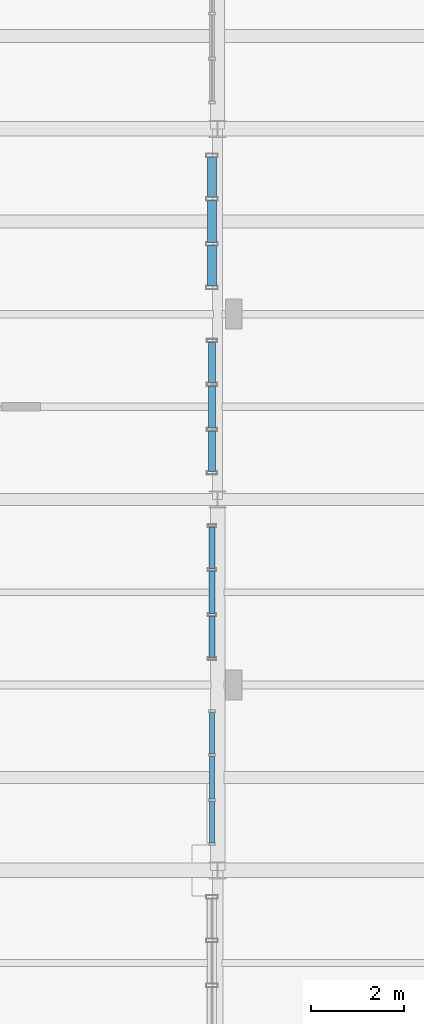
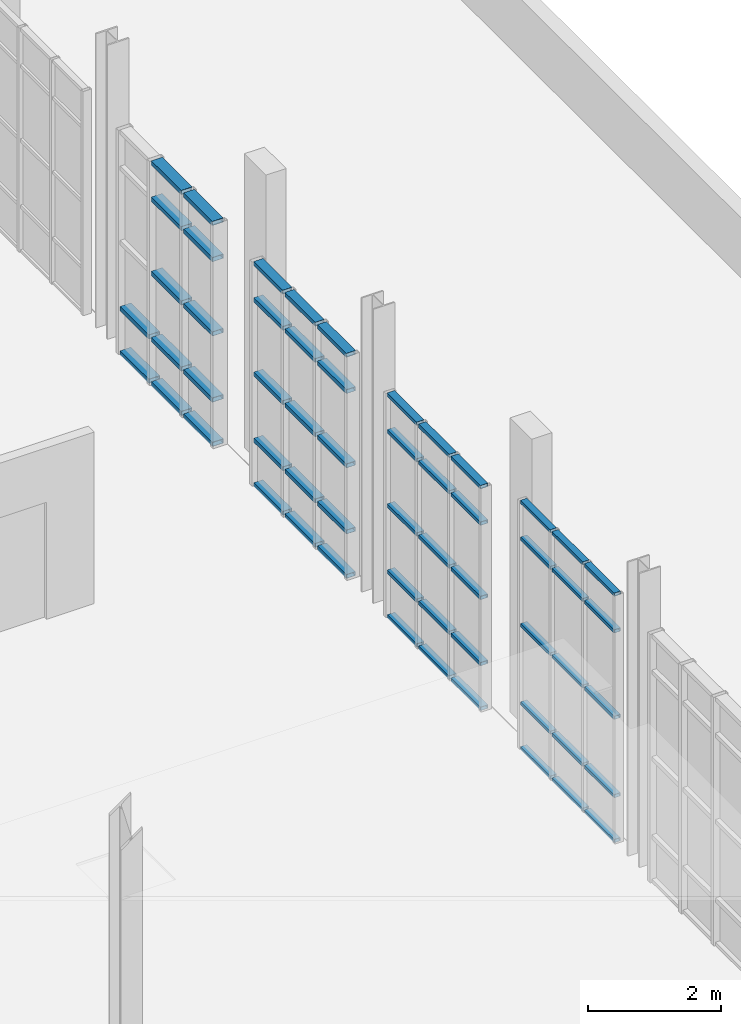
# One storey, part 100 of 142: 57 members, 4 elements without a shape of their own.
"""IFC4 building model written with IfcOpenShell, lengths in metres."""

from ifc_helpers import new_model, si_unit, direction, frame, origin, origin_2d, place, context, subcontext, project, spatial, hollow_rectangle, extrude, material, layer, layer_set, material_profile, profile_set, type_object, element, aggregate, save


model = new_model("IFC4")

# Units and contexts
model_context = context("Model", 3, precision=1e-05, world=origin(), true_north=direction((0.0, 1.0)))
body_context = subcontext(model_context, "Body", "Model", "MODEL_VIEW")
ifc_project = project(units=[si_unit("LENGTHUNIT", "METRE"), si_unit("AREAUNIT", "SQUARE_METRE"), si_unit("VOLUMEUNIT", "CUBIC_METRE"), si_unit("PLANEANGLEUNIT", "RADIAN"), si_unit("MASSUNIT", "GRAM", prefix="KILO"), si_unit("THERMODYNAMICTEMPERATUREUNIT", "KELVIN"), si_unit("POWERUNIT", "WATT")], contexts=[model_context])

# Site, building, storey
site_placement = place(None, origin())
site = spatial("IfcSite", under=ifc_project, at=site_placement, CompositionType="ELEMENT")
building_placement = place(site_placement, origin())
building = spatial("IfcBuilding", under=site, at=building_placement, Name="Zelmaris Science Centre", CompositionType="ELEMENT")
storey_placement = place(building_placement, frame((0.0, 0.0, 5.39990234375)))
storey = spatial("IfcBuildingStorey", under=building, at=storey_placement, Name="L01", CompositionType="ELEMENT", Elevation=5.39990234375)

# Curtain wall, members
ifc_material = material(Name="Anodised architectural aluminium 6063-T6", Category="aluminium")
ifc_layer_1 = layer(ifc_material, 0.219970703125, Name="Anodised architectural aluminium 6063-T6")
ifc_layer_set_1 = layer_set([ifc_layer_1], Name="Anodised architectural aluminium 6063-T6")
curtain_wall_type_1 = type_object("IfcCurtainWallType", Name="Curtain Wall CW-04", PredefinedType="USERDEFINED", material=ifc_layer_set_1)
curtain_wall_1_placement = place(storey_placement, origin())
curtain_wall_1 = element("IfcCurtainWall", 1, at=curtain_wall_1_placement, inside=storey, type_object=curtain_wall_type_1, Name="L01 Unitised curtain wall 156", ObjectType="GLAZED CURTAIN WALL", PredefinedType="USERDEFINED")
ifc_material_profile_1 = material_profile(ifc_material, hollow_rectangle(XDim=0.06005859375, YDim=0.110107421875, WallThickness=0.0029296875, at=origin_2d()), Name="ALU-TRN-60X110")
ifc_profile_set_1 = profile_set([ifc_material_profile_1], Name="Anodised architectural aluminium 6063-T6")
member_type_1 = type_object("IfcMemberType", Name="ALU-TRN-60X110", PredefinedType="USERDEFINED", material=ifc_profile_set_1)
member_1_placement = place(storey_placement, frame((143.8798828125, 27.407958984375, 0.010986328125), z_axis=(0.0, -1.0, 0.0), x_axis=(0.0, 0.0, 1.0)))
member_1 = element("IfcMember", 2, at=member_1_placement, type_object=member_type_1, Name="CW-04 transom 1.1", ObjectType="TRANSOM", PredefinedType="USERDEFINED", context=body_context, shape_type="SweptSolid", body=[
    extrude(hollow_rectangle(XDim=0.06005859375, YDim=0.110107421875, WallThickness=0.0029296875, at=origin_2d()), origin(), (0.0, 0.0, 1.0), 0.895263671875),
])
member_2_placement = place(storey_placement, frame((143.8798828125, 27.407958984375, 0.835205078125), z_axis=(0.0, -1.0, 0.0), x_axis=(0.0, 0.0, 1.0)))
member_2 = element("IfcMember", 3, at=member_2_placement, type_object=member_type_1, Name="CW-04 transom 1.2", ObjectType="TRANSOM", PredefinedType="USERDEFINED", context=body_context, shape_type="SweptSolid", body=[
    extrude(hollow_rectangle(XDim=0.06005859375, YDim=0.110107421875, WallThickness=0.0029296875, at=origin_2d()), origin(), (0.0, 0.0, 1.0), 0.895263671875),
])
member_3_placement = place(storey_placement, frame((143.8798828125, 27.407958984375, 2.273193359375), z_axis=(0.0, -1.0, 0.0), x_axis=(0.0, 0.0, 1.0)))
member_3 = element("IfcMember", 4, at=member_3_placement, type_object=member_type_1, Name="CW-04 transom 1.3", ObjectType="TRANSOM", PredefinedType="USERDEFINED", context=body_context, shape_type="SweptSolid", body=[
    extrude(hollow_rectangle(XDim=0.06005859375, YDim=0.110107421875, WallThickness=0.0029296875, at=origin_2d()), origin(), (0.0, 0.0, 1.0), 0.895263671875),
])
member_4_placement = place(storey_placement, frame((143.8798828125, 27.407958984375, 3.861083984375), z_axis=(0.0, -1.0, 0.0), x_axis=(0.0, 0.0, 1.0)))
member_4 = element("IfcMember", 5, at=member_4_placement, type_object=member_type_1, Name="CW-04 transom 1.4", ObjectType="TRANSOM", PredefinedType="USERDEFINED", context=body_context, shape_type="SweptSolid", body=[
    extrude(hollow_rectangle(XDim=0.06005859375, YDim=0.110107421875, WallThickness=0.0029296875, at=origin_2d()), origin(), (0.0, 0.0, 1.0), 0.895263671875),
])
member_5_placement = place(storey_placement, frame((143.8798828125, 27.407958984375, 4.53515625), z_axis=(0.0, -1.0, 0.0), x_axis=(0.0, 0.0, 1.0)))
member_5 = element("IfcMember", 6, at=member_5_placement, type_object=member_type_1, Name="CW-04 transom 1.5", ObjectType="TRANSOM", PredefinedType="USERDEFINED", context=body_context, shape_type="SweptSolid", body=[
    extrude(hollow_rectangle(XDim=0.06005859375, YDim=0.110107421875, WallThickness=0.0029296875, at=origin_2d()), origin(), (0.0, 0.0, 1.0), 0.895263671875),
])
member_6_placement = place(storey_placement, frame((143.8798828125, 26.460693359375, 0.010986328125), z_axis=(0.0, -1.0, 0.0), x_axis=(0.0, 0.0, 1.0)))
member_6 = element("IfcMember", 7, at=member_6_placement, type_object=member_type_1, Name="CW-04 transom 2.1", ObjectType="TRANSOM", PredefinedType="USERDEFINED", context=body_context, shape_type="SweptSolid", body=[
    extrude(hollow_rectangle(XDim=0.06005859375, YDim=0.110107421875, WallThickness=0.0029296875, at=origin_2d()), origin(), (0.0, 0.0, 1.0), 0.92138671875),
])
member_7_placement = place(storey_placement, frame((143.8798828125, 26.460693359375, 0.835205078125), z_axis=(0.0, -1.0, 0.0), x_axis=(0.0, 0.0, 1.0)))
member_7 = element("IfcMember", 8, at=member_7_placement, type_object=member_type_1, Name="CW-04 transom 2.2", ObjectType="TRANSOM", PredefinedType="USERDEFINED", context=body_context, shape_type="SweptSolid", body=[
    extrude(hollow_rectangle(XDim=0.06005859375, YDim=0.110107421875, WallThickness=0.0029296875, at=origin_2d()), origin(), (0.0, 0.0, 1.0), 0.92138671875),
])
member_8_placement = place(storey_placement, frame((143.8798828125, 26.460693359375, 2.273193359375), z_axis=(0.0, -1.0, 0.0), x_axis=(0.0, 0.0, 1.0)))
member_8 = element("IfcMember", 9, at=member_8_placement, type_object=member_type_1, Name="CW-04 transom 2.3", ObjectType="TRANSOM", PredefinedType="USERDEFINED", context=body_context, shape_type="SweptSolid", body=[
    extrude(hollow_rectangle(XDim=0.06005859375, YDim=0.110107421875, WallThickness=0.0029296875, at=origin_2d()), origin(), (0.0, 0.0, 1.0), 0.92138671875),
])
member_9_placement = place(storey_placement, frame((143.8798828125, 26.460693359375, 3.861083984375), z_axis=(0.0, -1.0, 0.0), x_axis=(0.0, 0.0, 1.0)))
member_9 = element("IfcMember", 10, at=member_9_placement, type_object=member_type_1, Name="CW-04 transom 2.4", ObjectType="TRANSOM", PredefinedType="USERDEFINED", context=body_context, shape_type="SweptSolid", body=[
    extrude(hollow_rectangle(XDim=0.06005859375, YDim=0.110107421875, WallThickness=0.0029296875, at=origin_2d()), origin(), (0.0, 0.0, 1.0), 0.92138671875),
])
member_10_placement = place(storey_placement, frame((143.8798828125, 26.460693359375, 4.53515625), z_axis=(0.0, -1.0, 0.0), x_axis=(0.0, 0.0, 1.0)))
member_10 = element("IfcMember", 11, at=member_10_placement, type_object=member_type_1, Name="CW-04 transom 2.5", ObjectType="TRANSOM", PredefinedType="USERDEFINED", context=body_context, shape_type="SweptSolid", body=[
    extrude(hollow_rectangle(XDim=0.06005859375, YDim=0.110107421875, WallThickness=0.0029296875, at=origin_2d()), origin(), (0.0, 0.0, 1.0), 0.92138671875),
])
member_11_placement = place(storey_placement, frame((143.8798828125, 25.4873046875, 0.010986328125), z_axis=(0.0, -1.0, 0.0), x_axis=(0.0, 0.0, 1.0)))
member_11 = element("IfcMember", 12, at=member_11_placement, type_object=member_type_1, Name="CW-04 transom 3.1", ObjectType="TRANSOM", PredefinedType="USERDEFINED", context=body_context, shape_type="SweptSolid", body=[
    extrude(hollow_rectangle(XDim=0.06005859375, YDim=0.110107421875, WallThickness=0.0029296875, at=origin_2d()), origin(), (0.0, 0.0, 1.0), 0.895263671875),
])
member_12_placement = place(storey_placement, frame((143.8798828125, 25.4873046875, 0.835205078125), z_axis=(0.0, -1.0, 0.0), x_axis=(0.0, 0.0, 1.0)))
member_12 = element("IfcMember", 13, at=member_12_placement, type_object=member_type_1, Name="CW-04 transom 3.2", ObjectType="TRANSOM", PredefinedType="USERDEFINED", context=body_context, shape_type="SweptSolid", body=[
    extrude(hollow_rectangle(XDim=0.06005859375, YDim=0.110107421875, WallThickness=0.0029296875, at=origin_2d()), origin(), (0.0, 0.0, 1.0), 0.895263671875),
])
member_13_placement = place(storey_placement, frame((143.8798828125, 25.4873046875, 2.273193359375), z_axis=(0.0, -1.0, 0.0), x_axis=(0.0, 0.0, 1.0)))
member_13 = element("IfcMember", 14, at=member_13_placement, type_object=member_type_1, Name="CW-04 transom 3.3", ObjectType="TRANSOM", PredefinedType="USERDEFINED", context=body_context, shape_type="SweptSolid", body=[
    extrude(hollow_rectangle(XDim=0.06005859375, YDim=0.110107421875, WallThickness=0.0029296875, at=origin_2d()), origin(), (0.0, 0.0, 1.0), 0.895263671875),
])
member_14_placement = place(storey_placement, frame((143.8798828125, 25.4873046875, 3.861083984375), z_axis=(0.0, -1.0, 0.0), x_axis=(0.0, 0.0, 1.0)))
member_14 = element("IfcMember", 15, at=member_14_placement, type_object=member_type_1, Name="CW-04 transom 3.4", ObjectType="TRANSOM", PredefinedType="USERDEFINED", context=body_context, shape_type="SweptSolid", body=[
    extrude(hollow_rectangle(XDim=0.06005859375, YDim=0.110107421875, WallThickness=0.0029296875, at=origin_2d()), origin(), (0.0, 0.0, 1.0), 0.895263671875),
])
member_15_placement = place(storey_placement, frame((143.8798828125, 25.4873046875, 4.53515625), z_axis=(0.0, -1.0, 0.0), x_axis=(0.0, 0.0, 1.0)))
member_15 = element("IfcMember", 16, at=member_15_placement, type_object=member_type_1, Name="CW-04 transom 3.5", ObjectType="TRANSOM", PredefinedType="USERDEFINED", context=body_context, shape_type="SweptSolid", body=[
    extrude(hollow_rectangle(XDim=0.06005859375, YDim=0.110107421875, WallThickness=0.0029296875, at=origin_2d()), origin(), (0.0, 0.0, 1.0), 0.895263671875),
])
aggregate(curtain_wall_1, [member_1, member_2, member_3, member_4, member_5, member_6, member_7, member_8, member_9, member_10, member_11, member_12, member_13, member_14, member_15])

ifc_layer_2 = layer(ifc_material, 0.2099609375, Name="Anodised architectural aluminium 6063-T6")
ifc_layer_set_2 = layer_set([ifc_layer_2], Name="Anodised architectural aluminium 6063-T6")
curtain_wall_type_2 = type_object("IfcCurtainWallType", Name="Curtain Wall CW-03", PredefinedType="USERDEFINED", material=ifc_layer_set_2)
curtain_wall_2_placement = place(storey_placement, origin())
curtain_wall_2 = element("IfcCurtainWall", 17, at=curtain_wall_2_placement, inside=storey, type_object=curtain_wall_type_2, Name="L01 Unitised curtain wall 155", ObjectType="GLAZED CURTAIN WALL", PredefinedType="USERDEFINED")
ifc_material_profile_2 = material_profile(ifc_material, hollow_rectangle(XDim=0.06494140625, YDim=0.1298828125, WallThickness=0.00341796875, at=origin_2d()), Name="ALU-TRN-65X130")
ifc_profile_set_2 = profile_set([ifc_material_profile_2], Name="Anodised architectural aluminium 6063-T6")
member_type_2 = type_object("IfcMemberType", Name="ALU-TRN-65X130", PredefinedType="USERDEFINED", material=ifc_profile_set_2)
member_16_placement = place(storey_placement, frame((143.8798828125, 31.403076171875, 0.013671875), z_axis=(0.0, -1.0, 0.0), x_axis=(0.0, 0.0, 1.0)))
member_16 = element("IfcMember", 18, at=member_16_placement, type_object=member_type_2, Name="CW-03 transom 1.1", ObjectType="TRANSOM", PredefinedType="USERDEFINED", context=body_context, shape_type="SweptSolid", body=[
    extrude(hollow_rectangle(XDim=0.06494140625, YDim=0.1298828125, WallThickness=0.00341796875, at=origin_2d()), origin(), (0.0, 0.0, 1.0), 0.887939453125),
])
member_17_placement = place(storey_placement, frame((143.8798828125, 31.403076171875, 0.835205078125), z_axis=(0.0, -1.0, 0.0), x_axis=(0.0, 0.0, 1.0)))
member_17 = element("IfcMember", 19, at=member_17_placement, type_object=member_type_2, Name="CW-03 transom 1.2", ObjectType="TRANSOM", PredefinedType="USERDEFINED", context=body_context, shape_type="SweptSolid", body=[
    extrude(hollow_rectangle(XDim=0.06494140625, YDim=0.1298828125, WallThickness=0.00341796875, at=origin_2d()), origin(), (0.0, 0.0, 1.0), 0.887939453125),
])
member_18_placement = place(storey_placement, frame((143.8798828125, 31.403076171875, 2.049560546875), z_axis=(0.0, -1.0, 0.0), x_axis=(0.0, 0.0, 1.0)))
member_18 = element("IfcMember", 20, at=member_18_placement, type_object=member_type_2, Name="CW-03 transom 1.3", ObjectType="TRANSOM", PredefinedType="USERDEFINED", context=body_context, shape_type="SweptSolid", body=[
    extrude(hollow_rectangle(XDim=0.06494140625, YDim=0.1298828125, WallThickness=0.00341796875, at=origin_2d()), origin(), (0.0, 0.0, 1.0), 0.887939453125),
])
member_19_placement = place(storey_placement, frame((143.8798828125, 31.403076171875, 3.4140625), z_axis=(0.0, -1.0, 0.0), x_axis=(0.0, 0.0, 1.0)))
member_19 = element("IfcMember", 21, at=member_19_placement, type_object=member_type_2, Name="CW-03 transom 1.4", ObjectType="TRANSOM", PredefinedType="USERDEFINED", context=body_context, shape_type="SweptSolid", body=[
    extrude(hollow_rectangle(XDim=0.06494140625, YDim=0.1298828125, WallThickness=0.00341796875, at=origin_2d()), origin(), (0.0, 0.0, 1.0), 0.887939453125),
])
member_20_placement = place(storey_placement, frame((143.8798828125, 31.403076171875, 4.085693359375), z_axis=(0.0, -1.0, 0.0), x_axis=(0.0, 0.0, 1.0)))
member_20 = element("IfcMember", 22, at=member_20_placement, type_object=member_type_2, Name="CW-03 transom 1.5", ObjectType="TRANSOM", PredefinedType="USERDEFINED", context=body_context, shape_type="SweptSolid", body=[
    extrude(hollow_rectangle(XDim=0.06494140625, YDim=0.1298828125, WallThickness=0.00341796875, at=origin_2d()), origin(), (0.0, 0.0, 1.0), 0.887939453125),
])
member_21_placement = place(storey_placement, frame((143.8798828125, 30.458251953125, 0.013671875), z_axis=(0.0, -1.0, 0.0), x_axis=(0.0, 0.0, 1.0)))
member_21 = element("IfcMember", 23, at=member_21_placement, type_object=member_type_2, Name="CW-03 transom 2.1", ObjectType="TRANSOM", PredefinedType="USERDEFINED", context=body_context, shape_type="SweptSolid", body=[
    extrude(hollow_rectangle(XDim=0.06494140625, YDim=0.1298828125, WallThickness=0.00341796875, at=origin_2d()), origin(), (0.0, 0.0, 1.0), 0.91650390625),
])
member_22_placement = place(storey_placement, frame((143.8798828125, 30.458251953125, 0.835205078125), z_axis=(0.0, -1.0, 0.0), x_axis=(0.0, 0.0, 1.0)))
member_22 = element("IfcMember", 24, at=member_22_placement, type_object=member_type_2, Name="CW-03 transom 2.2", ObjectType="TRANSOM", PredefinedType="USERDEFINED", context=body_context, shape_type="SweptSolid", body=[
    extrude(hollow_rectangle(XDim=0.06494140625, YDim=0.1298828125, WallThickness=0.00341796875, at=origin_2d()), origin(), (0.0, 0.0, 1.0), 0.91650390625),
])
member_23_placement = place(storey_placement, frame((143.8798828125, 30.458251953125, 2.049560546875), z_axis=(0.0, -1.0, 0.0), x_axis=(0.0, 0.0, 1.0)))
member_23 = element("IfcMember", 25, at=member_23_placement, type_object=member_type_2, Name="CW-03 transom 2.3", ObjectType="TRANSOM", PredefinedType="USERDEFINED", context=body_context, shape_type="SweptSolid", body=[
    extrude(hollow_rectangle(XDim=0.06494140625, YDim=0.1298828125, WallThickness=0.00341796875, at=origin_2d()), origin(), (0.0, 0.0, 1.0), 0.91650390625),
])
member_24_placement = place(storey_placement, frame((143.8798828125, 30.458251953125, 3.4140625), z_axis=(0.0, -1.0, 0.0), x_axis=(0.0, 0.0, 1.0)))
member_24 = element("IfcMember", 26, at=member_24_placement, type_object=member_type_2, Name="CW-03 transom 2.4", ObjectType="TRANSOM", PredefinedType="USERDEFINED", context=body_context, shape_type="SweptSolid", body=[
    extrude(hollow_rectangle(XDim=0.06494140625, YDim=0.1298828125, WallThickness=0.00341796875, at=origin_2d()), origin(), (0.0, 0.0, 1.0), 0.91650390625),
])
member_25_placement = place(storey_placement, frame((143.8798828125, 30.458251953125, 4.085693359375), z_axis=(0.0, -1.0, 0.0), x_axis=(0.0, 0.0, 1.0)))
member_25 = element("IfcMember", 27, at=member_25_placement, type_object=member_type_2, Name="CW-03 transom 2.5", ObjectType="TRANSOM", PredefinedType="USERDEFINED", context=body_context, shape_type="SweptSolid", body=[
    extrude(hollow_rectangle(XDim=0.06494140625, YDim=0.1298828125, WallThickness=0.00341796875, at=origin_2d()), origin(), (0.0, 0.0, 1.0), 0.91650390625),
])
member_26_placement = place(storey_placement, frame((143.8798828125, 29.48486328125, 0.013671875), z_axis=(0.0, -1.0, 0.0), x_axis=(0.0, 0.0, 1.0)))
member_26 = element("IfcMember", 28, at=member_26_placement, type_object=member_type_2, Name="CW-03 transom 3.1", ObjectType="TRANSOM", PredefinedType="USERDEFINED", context=body_context, shape_type="SweptSolid", body=[
    extrude(hollow_rectangle(XDim=0.06494140625, YDim=0.1298828125, WallThickness=0.00341796875, at=origin_2d()), origin(), (0.0, 0.0, 1.0), 0.887939453125),
])
member_27_placement = place(storey_placement, frame((143.8798828125, 29.48486328125, 0.835205078125), z_axis=(0.0, -1.0, 0.0), x_axis=(0.0, 0.0, 1.0)))
member_27 = element("IfcMember", 29, at=member_27_placement, type_object=member_type_2, Name="CW-03 transom 3.2", ObjectType="TRANSOM", PredefinedType="USERDEFINED", context=body_context, shape_type="SweptSolid", body=[
    extrude(hollow_rectangle(XDim=0.06494140625, YDim=0.1298828125, WallThickness=0.00341796875, at=origin_2d()), origin(), (0.0, 0.0, 1.0), 0.887939453125),
])
member_28_placement = place(storey_placement, frame((143.8798828125, 29.48486328125, 2.049560546875), z_axis=(0.0, -1.0, 0.0), x_axis=(0.0, 0.0, 1.0)))
member_28 = element("IfcMember", 30, at=member_28_placement, type_object=member_type_2, Name="CW-03 transom 3.3", ObjectType="TRANSOM", PredefinedType="USERDEFINED", context=body_context, shape_type="SweptSolid", body=[
    extrude(hollow_rectangle(XDim=0.06494140625, YDim=0.1298828125, WallThickness=0.00341796875, at=origin_2d()), origin(), (0.0, 0.0, 1.0), 0.887939453125),
])
member_29_placement = place(storey_placement, frame((143.8798828125, 29.48486328125, 3.4140625), z_axis=(0.0, -1.0, 0.0), x_axis=(0.0, 0.0, 1.0)))
member_29 = element("IfcMember", 31, at=member_29_placement, type_object=member_type_2, Name="CW-03 transom 3.4", ObjectType="TRANSOM", PredefinedType="USERDEFINED", context=body_context, shape_type="SweptSolid", body=[
    extrude(hollow_rectangle(XDim=0.06494140625, YDim=0.1298828125, WallThickness=0.00341796875, at=origin_2d()), origin(), (0.0, 0.0, 1.0), 0.887939453125),
])
member_30_placement = place(storey_placement, frame((143.8798828125, 29.48486328125, 4.085693359375), z_axis=(0.0, -1.0, 0.0), x_axis=(0.0, 0.0, 1.0)))
member_30 = element("IfcMember", 32, at=member_30_placement, type_object=member_type_2, Name="CW-03 transom 3.5", ObjectType="TRANSOM", PredefinedType="USERDEFINED", context=body_context, shape_type="SweptSolid", body=[
    extrude(hollow_rectangle(XDim=0.06494140625, YDim=0.1298828125, WallThickness=0.00341796875, at=origin_2d()), origin(), (0.0, 0.0, 1.0), 0.887939453125),
])
aggregate(curtain_wall_2, [member_16, member_17, member_18, member_19, member_20, member_21, member_22, member_23, member_24, member_25, member_26, member_27, member_28, member_29, member_30])

ifc_layer_3 = layer(ifc_material, 0.199951171875, Name="Anodised architectural aluminium 6063-T6")
ifc_layer_set_3 = layer_set([ifc_layer_3], Name="Anodised architectural aluminium 6063-T6")
curtain_wall_type_3 = type_object("IfcCurtainWallType", Name="Curtain Wall CW-02", PredefinedType="USERDEFINED", material=ifc_layer_set_3)
curtain_wall_3_placement = place(storey_placement, origin())
curtain_wall_3 = element("IfcCurtainWall", 33, at=curtain_wall_3_placement, inside=storey, type_object=curtain_wall_type_3, Name="L01 Unitised curtain wall 154", ObjectType="GLAZED CURTAIN WALL", PredefinedType="USERDEFINED")
ifc_material_profile_3 = material_profile(ifc_material, hollow_rectangle(XDim=0.074951171875, YDim=0.159912109375, WallThickness=0.00390625, at=origin_2d()), Name="ALU-TRN-75X160")
ifc_profile_set_3 = profile_set([ifc_material_profile_3], Name="Anodised architectural aluminium 6063-T6")
member_type_3 = type_object("IfcMemberType", Name="ALU-TRN-75X160", PredefinedType="USERDEFINED", material=ifc_profile_set_3)
member_31_placement = place(storey_placement, frame((143.8798828125, 35.39306640625, 0.0185546875), z_axis=(0.0, -1.0, 0.0), x_axis=(0.0, 0.0, 1.0)))
member_31 = element("IfcMember", 34, at=member_31_placement, type_object=member_type_3, Name="CW-02 transom 1.1", ObjectType="TRANSOM", PredefinedType="USERDEFINED", context=body_context, shape_type="SweptSolid", body=[
    extrude(hollow_rectangle(XDim=0.074951171875, YDim=0.159912109375, WallThickness=0.00390625, at=origin_2d()), origin(), (0.0, 0.0, 1.0), 0.872802734375),
])
member_32_placement = place(storey_placement, frame((143.8798828125, 35.39306640625, 0.835205078125), z_axis=(0.0, -1.0, 0.0), x_axis=(0.0, 0.0, 1.0)))
member_32 = element("IfcMember", 35, at=member_32_placement, type_object=member_type_3, Name="CW-02 transom 1.2", ObjectType="TRANSOM", PredefinedType="USERDEFINED", context=body_context, shape_type="SweptSolid", body=[
    extrude(hollow_rectangle(XDim=0.074951171875, YDim=0.159912109375, WallThickness=0.00390625, at=origin_2d()), origin(), (0.0, 0.0, 1.0), 0.872802734375),
])
member_33_placement = place(storey_placement, frame((143.8798828125, 35.39306640625, 2.049560546875), z_axis=(0.0, -1.0, 0.0), x_axis=(0.0, 0.0, 1.0)))
member_33 = element("IfcMember", 36, at=member_33_placement, type_object=member_type_3, Name="CW-02 transom 1.3", ObjectType="TRANSOM", PredefinedType="USERDEFINED", context=body_context, shape_type="SweptSolid", body=[
    extrude(hollow_rectangle(XDim=0.074951171875, YDim=0.159912109375, WallThickness=0.00390625, at=origin_2d()), origin(), (0.0, 0.0, 1.0), 0.872802734375),
])
member_34_placement = place(storey_placement, frame((143.8798828125, 35.39306640625, 3.4140625), z_axis=(0.0, -1.0, 0.0), x_axis=(0.0, 0.0, 1.0)))
member_34 = element("IfcMember", 37, at=member_34_placement, type_object=member_type_3, Name="CW-02 transom 1.4", ObjectType="TRANSOM", PredefinedType="USERDEFINED", context=body_context, shape_type="SweptSolid", body=[
    extrude(hollow_rectangle(XDim=0.074951171875, YDim=0.159912109375, WallThickness=0.00390625, at=origin_2d()), origin(), (0.0, 0.0, 1.0), 0.872802734375),
])
member_35_placement = place(storey_placement, frame((143.8798828125, 35.39306640625, 4.08056640625), z_axis=(0.0, -1.0, 0.0), x_axis=(0.0, 0.0, 1.0)))
member_35 = element("IfcMember", 38, at=member_35_placement, type_object=member_type_3, Name="CW-02 transom 1.5", ObjectType="TRANSOM", PredefinedType="USERDEFINED", context=body_context, shape_type="SweptSolid", body=[
    extrude(hollow_rectangle(XDim=0.074951171875, YDim=0.159912109375, WallThickness=0.00390625, at=origin_2d()), origin(), (0.0, 0.0, 1.0), 0.872802734375),
])
member_36_placement = place(storey_placement, frame((143.8798828125, 34.453125, 0.0185546875), z_axis=(0.0, -1.0, 0.0), x_axis=(0.0, 0.0, 1.0)))
member_36 = element("IfcMember", 39, at=member_36_placement, type_object=member_type_3, Name="CW-02 transom 2.1", ObjectType="TRANSOM", PredefinedType="USERDEFINED", context=body_context, shape_type="SweptSolid", body=[
    extrude(hollow_rectangle(XDim=0.074951171875, YDim=0.159912109375, WallThickness=0.00390625, at=origin_2d()), origin(), (0.0, 0.0, 1.0), 0.90625),
])
member_37_placement = place(storey_placement, frame((143.8798828125, 34.453125, 0.835205078125), z_axis=(0.0, -1.0, 0.0), x_axis=(0.0, 0.0, 1.0)))
member_37 = element("IfcMember", 40, at=member_37_placement, type_object=member_type_3, Name="CW-02 transom 2.2", ObjectType="TRANSOM", PredefinedType="USERDEFINED", context=body_context, shape_type="SweptSolid", body=[
    extrude(hollow_rectangle(XDim=0.074951171875, YDim=0.159912109375, WallThickness=0.00390625, at=origin_2d()), origin(), (0.0, 0.0, 1.0), 0.90625),
])
member_38_placement = place(storey_placement, frame((143.8798828125, 34.453125, 2.049560546875), z_axis=(0.0, -1.0, 0.0), x_axis=(0.0, 0.0, 1.0)))
member_38 = element("IfcMember", 41, at=member_38_placement, type_object=member_type_3, Name="CW-02 transom 2.3", ObjectType="TRANSOM", PredefinedType="USERDEFINED", context=body_context, shape_type="SweptSolid", body=[
    extrude(hollow_rectangle(XDim=0.074951171875, YDim=0.159912109375, WallThickness=0.00390625, at=origin_2d()), origin(), (0.0, 0.0, 1.0), 0.90625),
])
member_39_placement = place(storey_placement, frame((143.8798828125, 34.453125, 3.4140625), z_axis=(0.0, -1.0, 0.0), x_axis=(0.0, 0.0, 1.0)))
member_39 = element("IfcMember", 42, at=member_39_placement, type_object=member_type_3, Name="CW-02 transom 2.4", ObjectType="TRANSOM", PredefinedType="USERDEFINED", context=body_context, shape_type="SweptSolid", body=[
    extrude(hollow_rectangle(XDim=0.074951171875, YDim=0.159912109375, WallThickness=0.00390625, at=origin_2d()), origin(), (0.0, 0.0, 1.0), 0.90625),
])
member_40_placement = place(storey_placement, frame((143.8798828125, 34.453125, 4.08056640625), z_axis=(0.0, -1.0, 0.0), x_axis=(0.0, 0.0, 1.0)))
member_40 = element("IfcMember", 43, at=member_40_placement, type_object=member_type_3, Name="CW-02 transom 2.5", ObjectType="TRANSOM", PredefinedType="USERDEFINED", context=body_context, shape_type="SweptSolid", body=[
    extrude(hollow_rectangle(XDim=0.074951171875, YDim=0.159912109375, WallThickness=0.00390625, at=origin_2d()), origin(), (0.0, 0.0, 1.0), 0.90625),
])
member_41_placement = place(storey_placement, frame((143.8798828125, 33.479736328125, 0.0185546875), z_axis=(0.0, -1.0, 0.0), x_axis=(0.0, 0.0, 1.0)))
member_41 = element("IfcMember", 44, at=member_41_placement, type_object=member_type_3, Name="CW-02 transom 3.1", ObjectType="TRANSOM", PredefinedType="USERDEFINED", context=body_context, shape_type="SweptSolid", body=[
    extrude(hollow_rectangle(XDim=0.074951171875, YDim=0.159912109375, WallThickness=0.00390625, at=origin_2d()), origin(), (0.0, 0.0, 1.0), 0.872802734375),
])
member_42_placement = place(storey_placement, frame((143.8798828125, 33.479736328125, 0.835205078125), z_axis=(0.0, -1.0, 0.0), x_axis=(0.0, 0.0, 1.0)))
member_42 = element("IfcMember", 45, at=member_42_placement, type_object=member_type_3, Name="CW-02 transom 3.2", ObjectType="TRANSOM", PredefinedType="USERDEFINED", context=body_context, shape_type="SweptSolid", body=[
    extrude(hollow_rectangle(XDim=0.074951171875, YDim=0.159912109375, WallThickness=0.00390625, at=origin_2d()), origin(), (0.0, 0.0, 1.0), 0.872802734375),
])
member_43_placement = place(storey_placement, frame((143.8798828125, 33.479736328125, 2.049560546875), z_axis=(0.0, -1.0, 0.0), x_axis=(0.0, 0.0, 1.0)))
member_43 = element("IfcMember", 46, at=member_43_placement, type_object=member_type_3, Name="CW-02 transom 3.3", ObjectType="TRANSOM", PredefinedType="USERDEFINED", context=body_context, shape_type="SweptSolid", body=[
    extrude(hollow_rectangle(XDim=0.074951171875, YDim=0.159912109375, WallThickness=0.00390625, at=origin_2d()), origin(), (0.0, 0.0, 1.0), 0.872802734375),
])
member_44_placement = place(storey_placement, frame((143.8798828125, 33.479736328125, 3.4140625), z_axis=(0.0, -1.0, 0.0), x_axis=(0.0, 0.0, 1.0)))
member_44 = element("IfcMember", 47, at=member_44_placement, type_object=member_type_3, Name="CW-02 transom 3.4", ObjectType="TRANSOM", PredefinedType="USERDEFINED", context=body_context, shape_type="SweptSolid", body=[
    extrude(hollow_rectangle(XDim=0.074951171875, YDim=0.159912109375, WallThickness=0.00390625, at=origin_2d()), origin(), (0.0, 0.0, 1.0), 0.872802734375),
])
member_45_placement = place(storey_placement, frame((143.8798828125, 33.479736328125, 4.08056640625), z_axis=(0.0, -1.0, 0.0), x_axis=(0.0, 0.0, 1.0)))
member_45 = element("IfcMember", 48, at=member_45_placement, type_object=member_type_3, Name="CW-02 transom 3.5", ObjectType="TRANSOM", PredefinedType="USERDEFINED", context=body_context, shape_type="SweptSolid", body=[
    extrude(hollow_rectangle(XDim=0.074951171875, YDim=0.159912109375, WallThickness=0.00390625, at=origin_2d()), origin(), (0.0, 0.0, 1.0), 0.872802734375),
])
aggregate(curtain_wall_3, [member_31, member_32, member_33, member_34, member_35, member_36, member_37, member_38, member_39, member_40, member_41, member_42, member_43, member_44, member_45])

ifc_layer_4 = layer(ifc_material, 0.18994140625, Name="Anodised architectural aluminium 6063-T6")
ifc_layer_set_4 = layer_set([ifc_layer_4], Name="Anodised architectural aluminium 6063-T6")
curtain_wall_type_4 = type_object("IfcCurtainWallType", Name="Curtain Wall CW-01", PredefinedType="USERDEFINED", material=ifc_layer_set_4)
curtain_wall_4_placement = place(storey_placement, origin())
curtain_wall_4 = element("IfcCurtainWall", 49, at=curtain_wall_4_placement, inside=storey, type_object=curtain_wall_type_4, Name="L01 Unitised curtain wall 153", ObjectType="GLAZED CURTAIN WALL", PredefinedType="USERDEFINED")
ifc_material_profile_4 = material_profile(ifc_material, hollow_rectangle(XDim=0.080078125, YDim=0.18994140625, WallThickness=0.00439453125, at=origin_2d()), Name="ALU-TRN-80X190")
ifc_profile_set_4 = profile_set([ifc_material_profile_4], Name="Anodised architectural aluminium 6063-T6")
member_type_4 = type_object("IfcMemberType", Name="ALU-TRN-80X190", PredefinedType="USERDEFINED", material=ifc_profile_set_4)
member_46_placement = place(storey_placement, frame((143.8798828125, 39.387939453125, 0.02099609375), z_axis=(0.0, -1.0, 0.0), x_axis=(0.0, 0.0, 1.0)))
member_46 = element("IfcMember", 50, at=member_46_placement, type_object=member_type_4, Name="CW-01 transom 1.1", ObjectType="TRANSOM", PredefinedType="USERDEFINED", context=body_context, shape_type="SweptSolid", body=[
    extrude(hollow_rectangle(XDim=0.080078125, YDim=0.18994140625, WallThickness=0.00439453125, at=origin_2d()), origin(), (0.0, 0.0, 1.0), 0.865234375),
])
member_47_placement = place(storey_placement, frame((143.8798828125, 39.387939453125, 0.835205078125), z_axis=(0.0, -1.0, 0.0), x_axis=(0.0, 0.0, 1.0)))
member_47 = element("IfcMember", 51, at=member_47_placement, type_object=member_type_4, Name="CW-01 transom 1.2", ObjectType="TRANSOM", PredefinedType="USERDEFINED", context=body_context, shape_type="SweptSolid", body=[
    extrude(hollow_rectangle(XDim=0.080078125, YDim=0.18994140625, WallThickness=0.00439453125, at=origin_2d()), origin(), (0.0, 0.0, 1.0), 0.865234375),
])
member_48_placement = place(storey_placement, frame((143.8798828125, 38.45068359375, 0.02099609375), z_axis=(0.0, -1.0, 0.0), x_axis=(0.0, 0.0, 1.0)))
member_48 = element("IfcMember", 52, at=member_48_placement, type_object=member_type_4, Name="CW-01 transom 2.1", ObjectType="TRANSOM", PredefinedType="USERDEFINED", context=body_context, shape_type="SweptSolid", body=[
    extrude(hollow_rectangle(XDim=0.080078125, YDim=0.18994140625, WallThickness=0.00439453125, at=origin_2d()), origin(), (0.0, 0.0, 1.0), 0.9013671875),
])
member_49_placement = place(storey_placement, frame((143.8798828125, 38.45068359375, 0.835205078125), z_axis=(0.0, -1.0, 0.0), x_axis=(0.0, 0.0, 1.0)))
member_49 = element("IfcMember", 53, at=member_49_placement, type_object=member_type_4, Name="CW-01 transom 2.2", ObjectType="TRANSOM", PredefinedType="USERDEFINED", context=body_context, shape_type="SweptSolid", body=[
    extrude(hollow_rectangle(XDim=0.080078125, YDim=0.18994140625, WallThickness=0.00439453125, at=origin_2d()), origin(), (0.0, 0.0, 1.0), 0.9013671875),
])
member_50_placement = place(storey_placement, frame((143.8798828125, 38.45068359375, 2.049560546875), z_axis=(0.0, -1.0, 0.0), x_axis=(0.0, 0.0, 1.0)))
member_50 = element("IfcMember", 54, at=member_50_placement, type_object=member_type_4, Name="CW-01 transom 2.3", ObjectType="TRANSOM", PredefinedType="USERDEFINED", context=body_context, shape_type="SweptSolid", body=[
    extrude(hollow_rectangle(XDim=0.080078125, YDim=0.18994140625, WallThickness=0.00439453125, at=origin_2d()), origin(), (0.0, 0.0, 1.0), 0.9013671875),
])
member_51_placement = place(storey_placement, frame((143.8798828125, 38.45068359375, 3.4140625), z_axis=(0.0, -1.0, 0.0), x_axis=(0.0, 0.0, 1.0)))
member_51 = element("IfcMember", 55, at=member_51_placement, type_object=member_type_4, Name="CW-01 transom 2.4", ObjectType="TRANSOM", PredefinedType="USERDEFINED", context=body_context, shape_type="SweptSolid", body=[
    extrude(hollow_rectangle(XDim=0.080078125, YDim=0.18994140625, WallThickness=0.00439453125, at=origin_2d()), origin(), (0.0, 0.0, 1.0), 0.9013671875),
])
member_52_placement = place(storey_placement, frame((143.8798828125, 38.45068359375, 4.078125), z_axis=(0.0, -1.0, 0.0), x_axis=(0.0, 0.0, 1.0)))
member_52 = element("IfcMember", 56, at=member_52_placement, type_object=member_type_4, Name="CW-01 transom 2.5", ObjectType="TRANSOM", PredefinedType="USERDEFINED", context=body_context, shape_type="SweptSolid", body=[
    extrude(hollow_rectangle(XDim=0.080078125, YDim=0.18994140625, WallThickness=0.00439453125, at=origin_2d()), origin(), (0.0, 0.0, 1.0), 0.9013671875),
])
member_53_placement = place(storey_placement, frame((143.8798828125, 37.477294921875, 0.02099609375), z_axis=(0.0, -1.0, 0.0), x_axis=(0.0, 0.0, 1.0)))
member_53 = element("IfcMember", 57, at=member_53_placement, type_object=member_type_4, Name="CW-01 transom 3.1", ObjectType="TRANSOM", PredefinedType="USERDEFINED", context=body_context, shape_type="SweptSolid", body=[
    extrude(hollow_rectangle(XDim=0.080078125, YDim=0.18994140625, WallThickness=0.00439453125, at=origin_2d()), origin(), (0.0, 0.0, 1.0), 0.865234375),
])
member_54_placement = place(storey_placement, frame((143.8798828125, 37.477294921875, 0.835205078125), z_axis=(0.0, -1.0, 0.0), x_axis=(0.0, 0.0, 1.0)))
member_54 = element("IfcMember", 58, at=member_54_placement, type_object=member_type_4, Name="CW-01 transom 3.2", ObjectType="TRANSOM", PredefinedType="USERDEFINED", context=body_context, shape_type="SweptSolid", body=[
    extrude(hollow_rectangle(XDim=0.080078125, YDim=0.18994140625, WallThickness=0.00439453125, at=origin_2d()), origin(), (0.0, 0.0, 1.0), 0.865234375),
])
member_55_placement = place(storey_placement, frame((143.8798828125, 37.477294921875, 2.049560546875), z_axis=(0.0, -1.0, 0.0), x_axis=(0.0, 0.0, 1.0)))
member_55 = element("IfcMember", 59, at=member_55_placement, type_object=member_type_4, Name="CW-01 transom 3.3", ObjectType="TRANSOM", PredefinedType="USERDEFINED", context=body_context, shape_type="SweptSolid", body=[
    extrude(hollow_rectangle(XDim=0.080078125, YDim=0.18994140625, WallThickness=0.00439453125, at=origin_2d()), origin(), (0.0, 0.0, 1.0), 0.865234375),
])
member_56_placement = place(storey_placement, frame((143.8798828125, 37.477294921875, 3.4140625), z_axis=(0.0, -1.0, 0.0), x_axis=(0.0, 0.0, 1.0)))
member_56 = element("IfcMember", 60, at=member_56_placement, type_object=member_type_4, Name="CW-01 transom 3.4", ObjectType="TRANSOM", PredefinedType="USERDEFINED", context=body_context, shape_type="SweptSolid", body=[
    extrude(hollow_rectangle(XDim=0.080078125, YDim=0.18994140625, WallThickness=0.00439453125, at=origin_2d()), origin(), (0.0, 0.0, 1.0), 0.865234375),
])
member_57_placement = place(storey_placement, frame((143.8798828125, 37.477294921875, 4.078125), z_axis=(0.0, -1.0, 0.0), x_axis=(0.0, 0.0, 1.0)))
member_57 = element("IfcMember", 61, at=member_57_placement, type_object=member_type_4, Name="CW-01 transom 3.5", ObjectType="TRANSOM", PredefinedType="USERDEFINED", context=body_context, shape_type="SweptSolid", body=[
    extrude(hollow_rectangle(XDim=0.080078125, YDim=0.18994140625, WallThickness=0.00439453125, at=origin_2d()), origin(), (0.0, 0.0, 1.0), 0.865234375),
])
aggregate(curtain_wall_4, [member_46, member_47, member_48, member_49, member_50, member_51, member_52, member_53, member_54, member_55, member_56, member_57])

save(model, "model.ifc")
